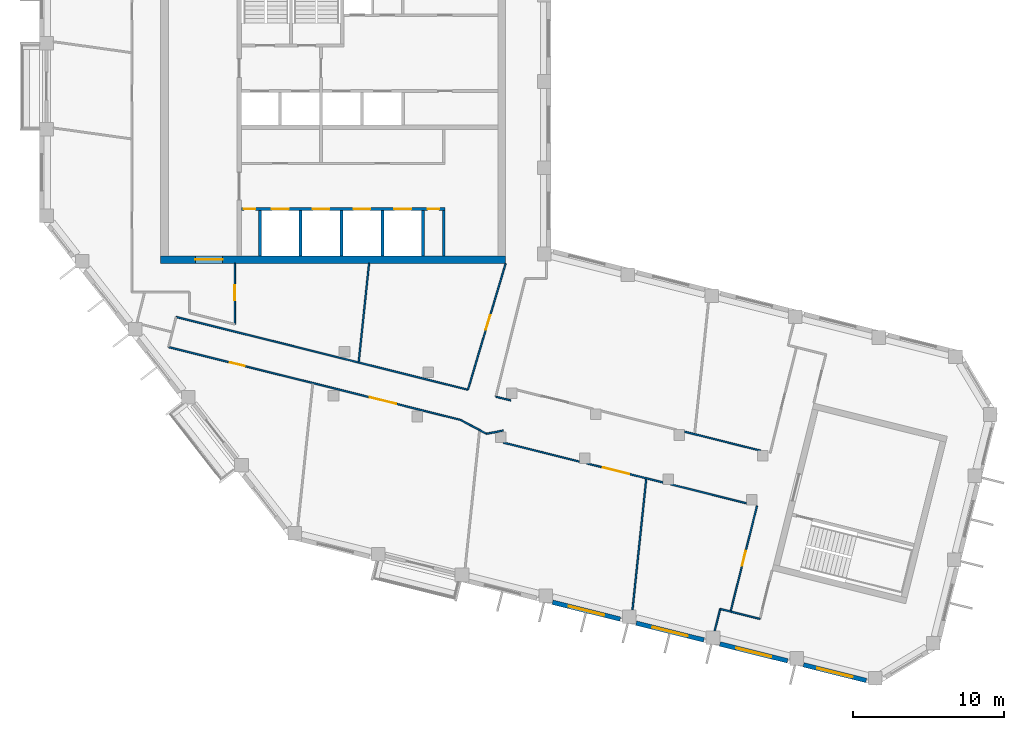
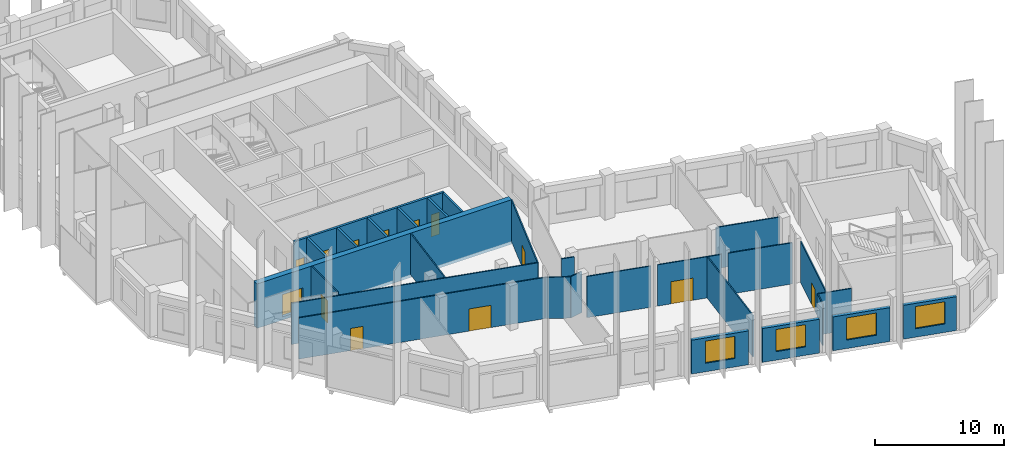
# One storey, part 3 of 8: 29 walls, 13 doors, 4 windows, 17 openings.
"""IFC4 building model written with IfcOpenShell, lengths in metres."""

import ifcopenshell
import ifcopenshell.guid

model = None  # the IFC model being written
_history = None  # IfcOwnerHistory: only IFC2X3 demands one
_inside = {}  # id of a spatial element -> (the spatial element, [elements in it])
_under = {}  # id of a project, library or spatial element -> (it, [spatial elements below it])
_declared = {}  # id of a project -> (the project, [libraries it declares])
_typed = {}  # id of a type object -> (the type object, [elements of that type])
_made_of = {}  # id of a material, layer set ... -> (it, [elements and type objects made of it])


def new_model(schema):
    """Start an empty IFC model of exactly this schema.

    Asked for "IFC4X3", IfcOpenShell would pick the latest addendum, in which some entities
    have other attributes; the version numbers below select the first issue.
    IFC2X3 requires an IfcOwnerHistory on every rooted entity: one is made here for all.
    """
    global model, _history
    if schema == "IFC4X3":
        model = ifcopenshell.file(schema_version=(4, 3, 0, 0))
    else:
        model = ifcopenshell.file(schema=schema)
    _inside.clear()
    _under.clear()
    _declared.clear()
    _typed.clear()
    _made_of.clear()
    _history = None
    if model.schema == "IFC2X3":
        org = make("IfcOrganization", Name="unknown")
        user = make(
            "IfcPersonAndOrganization",
            ThePerson=make("IfcPerson", FamilyName="unknown"),
            TheOrganization=org,
        )
        app = make(
            "IfcApplication",
            ApplicationDeveloper=org,
            Version="unknown",
            ApplicationFullName="unknown",
            ApplicationIdentifier="unknown",
        )
        _history = make(
            "IfcOwnerHistory",
            OwningUser=user,
            OwningApplication=app,
            ChangeAction="ADDED",
            CreationDate=0,
        )
    return model


def make(cls, **values):
    """One entity of the class cls with the attributes given. An attribute that is None is left unset."""
    return model.create_entity(
        cls, **{name: value for name, value in values.items() if value is not None}
    )


def rooted(cls, **values):
    """An entity with a GlobalId (a new one), such as an element, a storey or a relation."""
    return make(cls, GlobalId=ifcopenshell.guid.new(), OwnerHistory=_history, **values)


def si_unit(unit_type, name, prefix=None):
    """IfcSIUnit, for example si_unit("LENGTHUNIT", "METRE", prefix="MILLI")."""
    return make("IfcSIUnit", UnitType=unit_type, Prefix=prefix, Name=name)


def assignment(units):
    """IfcUnitAssignment: the units of a project."""
    return None if units is None else make("IfcUnitAssignment", Units=units)


def point(xyz):
    """IfcCartesianPoint."""
    return None if xyz is None else make("IfcCartesianPoint", Coordinates=xyz)


def direction(xyz):
    """IfcDirection."""
    return None if xyz is None else make("IfcDirection", DirectionRatios=xyz)


def frame(location, z_axis=None, x_axis=None):
    """IfcAxis2Placement3D, a coordinate frame: its origin and axes. An axis left out is left unset."""
    return make(
        "IfcAxis2Placement3D",
        Location=point(location),
        Axis=direction(z_axis),
        RefDirection=direction(x_axis),
    )


def frame_2d(location, x_axis=None):
    """IfcAxis2Placement2D, a coordinate frame in the plane: its origin and x axis."""
    return make(
        "IfcAxis2Placement2D", Location=point(location), RefDirection=direction(x_axis)
    )


def origin():
    """The frame at (0, 0, 0) with its axes left unset."""
    return frame((0.0, 0.0, 0.0))


def place(relative_to, where):
    """IfcLocalPlacement: puts the frame where relative to a parent placement (None: the world)."""
    return make(
        "IfcLocalPlacement", PlacementRelTo=relative_to, RelativePlacement=where
    )


def context(
    kind, dimensions, precision=None, world=None, true_north=None, identifier=None
):
    """IfcGeometricRepresentationContext, for example the 3D "Model" context."""
    return make(
        "IfcGeometricRepresentationContext",
        ContextIdentifier=identifier,
        ContextType=kind,
        CoordinateSpaceDimension=dimensions,
        Precision=precision,
        WorldCoordinateSystem=world,
        TrueNorth=true_north,
    )


def subcontext(parent, identifier, kind, view, scale=None):
    """IfcGeometricRepresentationSubContext, for example "Body" below "Model"."""
    return make(
        "IfcGeometricRepresentationSubContext",
        ContextIdentifier=identifier,
        ContextType=kind,
        ParentContext=parent,
        TargetScale=scale,
        TargetView=view,
    )


def project(units=None, contexts=None):
    """IfcProject with its units and contexts."""
    return rooted(
        "IfcProject",
        Name="project",
        RepresentationContexts=contexts,
        UnitsInContext=assignment(units),
    )


def spatial(cls, under=None, at=None, **own):
    """A site, building, storey or space (cls), placed at a placement, below another one or the project."""
    s = rooted(cls, ObjectPlacement=at, **own)
    if under is not None:
        _under.setdefault(under.id(), (under, []))[1].append(s)
    return s


def profile(cls, at=None, kind="AREA", **sizes):
    """A parametric profile (cls). Its sizes go by their IFC names, for example OverallWidth=200.0."""
    return make(cls, ProfileType=kind, Position=at, **sizes)


def rectangle(**sizes):
    """IfcRectangleProfileDef."""
    return profile("IfcRectangleProfileDef", **sizes)


def extrude(swept, where, along, depth):
    """IfcExtrudedAreaSolid: the profile swept, set in the frame where, extruded along a direction by depth."""
    return make(
        "IfcExtrudedAreaSolid",
        SweptArea=swept,
        Position=where,
        ExtrudedDirection=direction(along),
        Depth=depth,
    )


def shape(context_of_items, identifier, shape_type, items):
    """IfcShapeRepresentation: the items that make up one representation, for example the "Body"."""
    return make(
        "IfcShapeRepresentation",
        ContextOfItems=context_of_items,
        RepresentationIdentifier=identifier,
        RepresentationType=shape_type,
        Items=items,
    )


def material(Name=None, Category=None):
    """IfcMaterial."""
    return make("IfcMaterial", Name=Name, Category=Category)


def layer(
    of_material, thickness, ventilated=None, Name=None, Category=None, Priority=None
):
    """IfcMaterialLayer: one layer of a wall or slab, of a material (None: an air gap)."""
    return make(
        "IfcMaterialLayer",
        Material=of_material,
        LayerThickness=thickness,
        IsVentilated=ventilated,
        Name=Name,
        Category=Category,
        Priority=Priority,
    )


def layer_set(layers, Name=None):
    """IfcMaterialLayerSet."""
    return make("IfcMaterialLayerSet", MaterialLayers=layers, LayerSetName=Name)


def made_of(thing, what):
    """Note that an element or type object is made of a material, layer set ...; save() writes the relation."""
    if what is not None:
        _made_of.setdefault(what.id(), (what, []))[1].append(thing)
    return thing


def type_object(cls, material=None, **own):
    """A type object (cls), such as IfcWallType, which elements share."""
    return made_of(rooted(cls, **own), material)


def element(
    cls,
    number,
    at=None,
    inside=None,
    cuts=None,
    type_object=None,
    material=None,
    context=None,
    identifier="Body",
    shape_type=None,
    held_by="IfcProductDefinitionShape",
    body=None,
    shapes=None,
    **own,
):
    """One element of the class cls, such as IfcWall. Its Tag is "e" and its number.

    at: its placement. inside: the storey or other place that contains it. cuts: it is an
    opening in that element (IfcRelVoidsElement). A single representation is given by context,
    identifier, shape_type and body (its items); several are given by shapes. held_by: the class
    of the entity that holds the representations. save() writes the other relations.
    """
    e = rooted(cls, Tag="e%d" % number, ObjectPlacement=at, **own)
    if body is not None:
        shapes = [shape(context, identifier, shape_type, body)]
    if shapes is not None:
        e.Representation = make(held_by, Representations=shapes)
    if inside is not None:
        _inside.setdefault(inside.id(), (inside, []))[1].append(e)
    if cuts is not None:
        rooted(
            "IfcRelVoidsElement", RelatingBuildingElement=cuts, RelatedOpeningElement=e
        )
    if type_object is not None:
        _typed.setdefault(type_object.id(), (type_object, []))[1].append(e)
    return made_of(e, material)


def fill(opening, filler):
    """IfcRelFillsElement: the door or window that sits in an opening."""
    return rooted(
        "IfcRelFillsElement",
        RelatingOpeningElement=opening,
        RelatedBuildingElement=filler,
    )


def aggregate(whole, parts):
    """IfcRelAggregates: a whole, such as a stair, and the parts it consists of."""
    return rooted("IfcRelAggregates", RelatingObject=whole, RelatedObjects=parts)


def save(model, path):
    """Write the relations noted so far, then the file.

    IfcRelAggregates (storeys below a building ...), IfcRelContainedInSpatialStructure (elements
    in a storey), IfcRelDefinesByType, IfcRelAssociatesMaterial and IfcRelDeclares: one each for
    every whole, place, type object, material and project.
    """
    for whole, parts in _under.values():
        aggregate(whole, parts)
    for where, things in _inside.values():
        rooted(
            "IfcRelContainedInSpatialStructure",
            RelatedElements=things,
            RelatingStructure=where,
        )
    for kind, things in _typed.values():
        rooted("IfcRelDefinesByType", RelatedObjects=things, RelatingType=kind)
    for what, things in _made_of.values():
        rooted("IfcRelAssociatesMaterial", RelatedObjects=things, RelatingMaterial=what)
    for by, libraries in _declared.values():
        rooted("IfcRelDeclares", RelatingContext=by, RelatedDefinitions=libraries)
    model.write(path)


model = new_model("IFC4")

# Units and contexts
model_context = context("Model", 3, precision=1e-05, world=origin(), true_north=direction((0.0, 1.0)))
body_context = subcontext(model_context, "Body", "Model", "MODEL_VIEW")
ifc_project = project(units=[si_unit("LENGTHUNIT", "METRE"), si_unit("AREAUNIT", "SQUARE_METRE"), si_unit("VOLUMEUNIT", "CUBIC_METRE"), si_unit("PLANEANGLEUNIT", "RADIAN"), si_unit("MASSUNIT", "GRAM", prefix="KILO")], contexts=[model_context])

# Site, building, storey
site_placement = place(None, origin())
site = spatial("IfcSite", under=ifc_project, at=site_placement, CompositionType="ELEMENT")
building_placement = place(site_placement, origin())
building = spatial("IfcBuilding", under=site, at=building_placement, Name="Meshkara Civic Tower", CompositionType="ELEMENT")
storey_placement = place(building_placement, frame((0.0, 0.0, 387.60009765625)))
storey = spatial("IfcBuildingStorey", under=building, at=storey_placement, Name="L89", CompositionType="ELEMENT", Elevation=387.60009765625)

# Wall
ifc_material_1 = material(Name="Blockwork", Category="masonry")
ifc_layer_1 = layer(ifc_material_1, 0.14990234375)
ifc_layer_set_1 = layer_set([ifc_layer_1], Name="Core partition 150")
wall_type_1 = type_object("IfcWallType", Name="Core partition 150", PredefinedType="PARTITIONING", material=ifc_layer_set_1)
wall_1_placement = place(storey_placement, frame((26.699951171875, 14.60009765625, 0.0), z_axis=(0.0, 0.0, 1.0), x_axis=(0.0, 1.0, 0.0)))
element("IfcWall", 1, at=wall_1_placement, inside=storey, type_object=wall_type_1, Name="L89-C025", PredefinedType="PARTITIONING", context=body_context, shape_type="SweptSolid", body=[
    extrude(rectangle(XDim=3.0, YDim=0.14990234375, at=frame_2d((1.5, 0.0))), origin(), (0.0, 0.0, 1.0), 3.89990234375),
])

# Wall, opening, door
ifc_material_2 = material(Name="Concrete C50", Category="concrete")
ifc_layer_2 = layer(ifc_material_2, 0.5)
ifc_layer_set_2 = layer_set([ifc_layer_2], Name="Core ring wall 500 C50")
wall_type_2 = type_object("IfcWallType", Name="Core ring wall 500 C50", PredefinedType="SHEAR", material=ifc_layer_set_2)
wall_2_placement = place(storey_placement, frame((8.0, 14.35009765625, -0.300048828125), z_axis=(0.0, 0.0, 1.0), x_axis=(1.0, 0.0, 0.0)))
wall_2 = element("IfcWall", 2, at=wall_2_placement, inside=storey, type_object=wall_type_2, Name="L89-C001", PredefinedType="SHEAR", context=body_context, shape_type="SweptSolid", body=[
    extrude(rectangle(XDim=22.800048828125, YDim=0.5, at=frame_2d((11.39990234375, 0.0))), origin(), (0.0, 0.0, 1.0), 4.199951171875),
])
opening_1_placement = place(wall_2_placement, frame((2.300048828125, 0.0, 0.300048828125)))
opening_1 = element("IfcOpeningElement", 3, at=opening_1_placement, cuts=wall_2, Name="Opening L89-K023", PredefinedType="OPENING", context=body_context, shape_type="SweptSolid", body=[
    extrude(rectangle(XDim=1.800048828125, YDim=2.10009765625, at=frame_2d((0.89990234375, 1.050048828125))), frame((0.0, 0.260009765625, 0.0), z_axis=(0.0, -1.0, 0.0), x_axis=(1.0, 0.0, 0.0)), (0.0, 0.0, 1.0), 0.52001953125),
])
ifc_material_3 = material(Name="Fire-rated door leaf in steel frame", Category="steel")
door_type_1 = type_object("IfcDoorType", Name="Core double door 1800 EI 60", OperationType="DOUBLE_DOOR_SINGLE_SWING", PredefinedType="DOOR", material=ifc_material_3)
door_1_placement = place(opening_1_placement, origin())
door_1 = element("IfcDoor", 4, at=door_1_placement, inside=storey, type_object=door_type_1, Name="L89-K023", OperationType="DOUBLE_DOOR_SINGLE_SWING", OverallHeight=2.10009765625, OverallWidth=1.800048828125, PredefinedType="DOOR", context=body_context, shape_type="SweptSolid", body=[
    extrude(rectangle(XDim=1.800048828125, YDim=2.10009765625, at=frame_2d((0.89990234375, 1.050048828125))), frame((0.0, 0.02490234375, 0.0), z_axis=(0.0, -1.0, 0.0), x_axis=(1.0, 0.0, 0.0)), (0.0, 0.0, 1.0), 0.050048828125),
])
fill(opening_1, door_1)

# Wall, openings, doors
ifc_material_4 = material(Name="Corridor wall 100")
ifc_layer_3 = layer(ifc_material_4, 0.10009765625)
ifc_layer_set_3 = layer_set([ifc_layer_3], Name="Corridor wall 100")
wall_type_3 = type_object("IfcWallType", Name="Corridor wall 100", PredefinedType="PARTITIONING", material=ifc_layer_set_3)
wall_3_placement = place(storey_placement, frame((8.52099609375, 8.56689453125, 0.0), z_axis=(0.0, 0.0, 1.0), x_axis=(0.970301223092, -0.241899848006, 0.0)))
wall_3 = element("IfcWall", 5, at=wall_3_placement, inside=storey, type_object=wall_type_3, Name="L89-W006", PredefinedType="PARTITIONING", context=body_context, shape_type="SweptSolid", body=[
    extrude(rectangle(XDim=19.87939453125, YDim=0.10009765625, at=frame_2d((9.939697265625, 0.0))), origin(), (0.0, 0.0, 1.0), 3.89990234375),
])
opening_2_placement = place(wall_3_placement, frame((13.70703125, 0.0, 0.0)))
opening_2 = element("IfcOpeningElement", 6, at=opening_2_placement, cuts=wall_3, Name="Opening L89-D003", PredefinedType="OPENING", context=body_context, shape_type="SweptSolid", body=[
    extrude(rectangle(XDim=1.800048828125, YDim=2.10009765625, at=frame_2d((0.89990234375, 1.050048828125))), frame((0.0, 0.06005859375, 0.0), z_axis=(0.0, -1.0, 0.0), x_axis=(1.0, 0.0, 0.0)), (0.0, 0.0, 1.0), 0.1201171875),
])
opening_3_placement = place(wall_3_placement, frame((4.179931640625, 0.0, 0.0)))
opening_3 = element("IfcOpeningElement", 7, at=opening_3_placement, cuts=wall_3, Name="Opening L89-D007", PredefinedType="OPENING", context=body_context, shape_type="SweptSolid", body=[
    extrude(rectangle(XDim=1.0, YDim=2.10009765625, at=frame_2d((0.5, 1.050048828125))), frame((0.0, 0.06005859375, 0.0), z_axis=(0.0, -1.0, 0.0), x_axis=(1.0, 0.0, 0.0)), (0.0, 0.0, 1.0), 0.1201171875),
])
ifc_material_5 = material(Name="Door 1000 x 2100")
door_type_2 = type_object("IfcDoorType", Name="Door 1000 x 2100", OperationType="SINGLE_SWING_LEFT", PredefinedType="DOOR", material=ifc_material_5)
door_2_placement = place(opening_3_placement, origin())
door_2 = element("IfcDoor", 8, at=door_2_placement, inside=storey, type_object=door_type_2, Name="L89-D007", OperationType="SINGLE_SWING_RIGHT", OverallHeight=2.10009765625, OverallWidth=1.0, PredefinedType="DOOR", context=body_context, shape_type="SweptSolid", body=[
    extrude(rectangle(XDim=1.0, YDim=2.10009765625, at=frame_2d((0.5, 1.050048828125))), frame((0.0, 0.02490234375, 0.0), z_axis=(0.0, -1.0, 0.0), x_axis=(1.0, 0.0, 0.0)), (0.0, 0.0, 1.0), 0.050048828125),
])
fill(opening_3, door_2)
ifc_material_6 = material(Name="Door pair 1800 x 2100")
door_type_3 = type_object("IfcDoorType", Name="Door pair 1800 x 2100", OperationType="SINGLE_SWING_LEFT", PredefinedType="DOOR", material=ifc_material_6)
door_3_placement = place(opening_2_placement, origin())
door_3 = element("IfcDoor", 9, at=door_3_placement, inside=storey, type_object=door_type_3, Name="L89-D003", OperationType="DOUBLE_DOOR_SINGLE_SWING", OverallHeight=2.10009765625, OverallWidth=1.800048828125, PredefinedType="DOOR", context=body_context, shape_type="SweptSolid", body=[
    extrude(rectangle(XDim=1.800048828125, YDim=2.10009765625, at=frame_2d((0.89990234375, 1.050048828125))), frame((0.0, 0.02490234375, 0.0), z_axis=(0.0, -1.0, 0.0), x_axis=(1.0, 0.0, 0.0)), (0.0, 0.0, 1.0), 0.050048828125),
])
fill(opening_2, door_3)

# Wall
wall_4_placement = place(storey_placement, frame((9.01708984375, 10.55810546875, 0.0), z_axis=(0.0, 0.0, 1.0), x_axis=(0.970297621765, -0.241914293082, 0.0)))
element("IfcWall", 10, at=wall_4_placement, inside=storey, type_object=wall_type_3, Name="L89-W007", PredefinedType="PARTITIONING", context=body_context, shape_type="SweptSolid", body=[
    extrude(rectangle(XDim=19.87939453125, YDim=0.10009765625, at=frame_2d((9.939697265625, 0.0))), origin(), (0.0, 0.0, 1.0), 3.89990234375),
])

# Wall, opening, door
wall_5_placement = place(storey_placement, frame((12.89990234375, 10.077880859375, 0.0), z_axis=(0.0, 0.0, 1.0), x_axis=(0.0, 1.0, 0.0)))
wall_5 = element("IfcWall", 11, at=wall_5_placement, inside=storey, type_object=wall_type_3, Name="L89-W015", PredefinedType="PARTITIONING", context=body_context, shape_type="SweptSolid", body=[
    extrude(rectangle(XDim=4.022216796875, YDim=0.10009765625, at=frame_2d((2.01123046875, 0.0))), origin(), (0.0, 0.0, 1.0), 3.89990234375),
])
opening_4_placement = place(wall_5_placement, frame((1.580078125, 0.0, 0.0)))
opening_4 = element("IfcOpeningElement", 12, at=opening_4_placement, cuts=wall_5, Name="Opening L89-D011", PredefinedType="OPENING", context=body_context, shape_type="SweptSolid", body=[
    extrude(rectangle(XDim=1.0, YDim=2.10009765625, at=frame_2d((0.5, 1.050048828125))), frame((0.0, 0.06005859375, 0.0), z_axis=(0.0, -1.0, 0.0), x_axis=(1.0, 0.0, 0.0)), (0.0, 0.0, 1.0), 0.1201171875),
])
door_4_placement = place(opening_4_placement, origin())
door_4 = element("IfcDoor", 13, at=door_4_placement, inside=storey, type_object=door_type_2, Name="L89-D011", OperationType="SINGLE_SWING_LEFT", OverallHeight=2.10009765625, OverallWidth=1.0, PredefinedType="DOOR", context=body_context, shape_type="SweptSolid", body=[
    extrude(rectangle(XDim=1.0, YDim=2.10009765625, at=frame_2d((0.5, 1.050048828125))), frame((0.0, 0.02490234375, 0.0), z_axis=(0.0, -1.0, 0.0), x_axis=(1.0, 0.0, 0.0)), (0.0, 0.0, 1.0), 0.050048828125),
])
fill(opening_4, door_4)

# Walls
wall_6_placement = place(storey_placement, frame((27.81005859375, 3.758056640625, 0.0), z_axis=(0.0, 0.0, 1.0), x_axis=(0.882659984129, -0.470012076884, 0.0)))
element("IfcWall", 14, at=wall_6_placement, inside=storey, type_object=wall_type_3, Name="L89-W018", PredefinedType="PARTITIONING", context=body_context, shape_type="SweptSolid", body=[
    extrude(rectangle(XDim=1.957763671875, YDim=0.10009765625, at=frame_2d((0.97900390625, 0.0))), origin(), (0.0, 0.0, 1.0), 3.89990234375),
])
wall_7_placement = place(storey_placement, frame((29.5380859375, 2.837890625, 0.0), z_axis=(0.0, 0.0, 1.0), x_axis=(0.981739361474, 0.190230981001, 0.0)))
element("IfcWall", 15, at=wall_7_placement, inside=storey, type_object=wall_type_3, Name="L89-W019", PredefinedType="PARTITIONING", context=body_context, shape_type="SweptSolid", body=[
    extrude(rectangle(XDim=1.12548828125, YDim=0.10009765625, at=frame_2d((0.562744140625, 0.0))), origin(), (0.0, 0.0, 1.0), 3.89990234375),
])
wall_8_placement = place(storey_placement, frame((30.64892578125, 2.251953125, 0.0), z_axis=(0.0, 0.0, 1.0), x_axis=(0.970292295429, -0.241935655561, 0.0)))
element("IfcWall", 16, at=wall_8_placement, inside=storey, type_object=wall_type_3, Name="L89-W021", PredefinedType="PARTITIONING", context=body_context, shape_type="SweptSolid", body=[
    extrude(rectangle(XDim=5.170654296875, YDim=0.10009765625, at=frame_2d((2.58544921875, 0.0))), origin(), (0.0, 0.0, 1.0), 3.89990234375),
])

# Wall, opening, door
wall_9_placement = place(storey_placement, frame((30.800048828125, 14.10009765625, 0.0), z_axis=(0.0, 0.0, 1.0), x_axis=(-0.286170650389, -0.958178667502, 0.0)))
wall_9 = element("IfcWall", 17, at=wall_9_placement, inside=storey, type_object=wall_type_3, Name="L89-W022", PredefinedType="PARTITIONING", context=body_context, shape_type="SweptSolid", body=[
    extrude(rectangle(XDim=8.715576171875, YDim=0.10009765625, at=frame_2d((4.35791015625, 0.0))), origin(), (0.0, 0.0, 1.0), 3.89990234375),
])
opening_5_placement = place(wall_9_placement, frame((3.580078125, 0.0, 0.0)))
opening_5 = element("IfcOpeningElement", 18, at=opening_5_placement, cuts=wall_9, Name="Opening L89-D008", PredefinedType="OPENING", context=body_context, shape_type="SweptSolid", body=[
    extrude(rectangle(XDim=1.0, YDim=2.10009765625, at=frame_2d((0.5, 1.050048828125))), frame((0.0, 0.06005859375, 0.0), z_axis=(0.0, -1.0, 0.0), x_axis=(1.0, 0.0, 0.0)), (0.0, 0.0, 1.0), 0.1201171875),
])
door_5_placement = place(opening_5_placement, origin())
door_5 = element("IfcDoor", 19, at=door_5_placement, inside=storey, type_object=door_type_2, Name="L89-D008", OperationType="SINGLE_SWING_RIGHT", OverallHeight=2.10009765625, OverallWidth=1.0, PredefinedType="DOOR", context=body_context, shape_type="SweptSolid", body=[
    extrude(rectangle(XDim=1.0, YDim=2.10009765625, at=frame_2d((0.5, 1.050048828125))), frame((0.0, 0.02490234375, 0.0), z_axis=(0.0, -1.0, 0.0), x_axis=(1.0, 0.0, 0.0)), (0.0, 0.0, 1.0), 0.050048828125),
])
fill(opening_5, door_5)

# Wall
wall_10_placement = place(storey_placement, frame((31.139892578125, 5.0419921875, 0.0), z_axis=(0.0, 0.0, 1.0), x_axis=(-0.970296981152, 0.24191686251, 0.0)))
element("IfcWall", 20, at=wall_10_placement, inside=storey, type_object=wall_type_3, Name="L89-W024", PredefinedType="PARTITIONING", context=body_context, shape_type="SweptSolid", body=[
    extrude(rectangle(XDim=1.021240234375, YDim=0.10009765625, at=frame_2d((0.5107421875, 0.0))), origin(), (0.0, 0.0, 1.0), 3.89990234375),
])

# Wall, opening, door
wall_11_placement = place(storey_placement, frame((36.180908203125, 0.873046875, 0.0), z_axis=(0.0, 0.0, 1.0), x_axis=(0.970314526579, -0.241846479217, 0.0)))
wall_11 = element("IfcWall", 21, at=wall_11_placement, inside=storey, type_object=wall_type_3, Name="L89-W027", PredefinedType="PARTITIONING", context=body_context, shape_type="SweptSolid", body=[
    extrude(rectangle(XDim=5.16845703125, YDim=0.10009765625, at=frame_2d((2.584228515625, 0.0))), origin(), (0.0, 0.0, 1.0), 3.89990234375),
])
opening_6_placement = place(wall_11_placement, frame((1.080078125, 0.0, 0.0)))
opening_6 = element("IfcOpeningElement", 22, at=opening_6_placement, cuts=wall_11, Name="Opening L89-D005", PredefinedType="OPENING", context=body_context, shape_type="SweptSolid", body=[
    extrude(rectangle(XDim=1.800048828125, YDim=2.10009765625, at=frame_2d((0.89990234375, 1.050048828125))), frame((0.0, 0.06005859375, 0.0), z_axis=(0.0, -1.0, 0.0), x_axis=(1.0, 0.0, 0.0)), (0.0, 0.0, 1.0), 0.1201171875),
])
door_6_placement = place(opening_6_placement, origin())
door_6 = element("IfcDoor", 23, at=door_6_placement, inside=storey, type_object=door_type_3, Name="L89-D005", OperationType="DOUBLE_DOOR_SINGLE_SWING", OverallHeight=2.10009765625, OverallWidth=1.800048828125, PredefinedType="DOOR", context=body_context, shape_type="SweptSolid", body=[
    extrude(rectangle(XDim=1.800048828125, YDim=2.10009765625, at=frame_2d((0.89990234375, 1.050048828125))), frame((0.0, 0.02490234375, 0.0), z_axis=(0.0, -1.0, 0.0), x_axis=(1.0, 0.0, 0.0)), (0.0, 0.0, 1.0), 0.050048828125),
])
fill(opening_6, door_6)

# Walls
wall_12_placement = place(storey_placement, frame((41.712890625, -0.506103515625, 0.0), z_axis=(0.0, 0.0, 1.0), x_axis=(0.970303472342, -0.241890825708, 0.0)))
element("IfcWall", 24, at=wall_12_placement, inside=storey, type_object=wall_type_3, Name="L89-W029", PredefinedType="PARTITIONING", context=body_context, shape_type="SweptSolid", body=[
    extrude(rectangle(XDim=5.167724609375, YDim=0.10009765625, at=frame_2d((2.583984375, 0.0))), origin(), (0.0, 0.0, 1.0), 3.89990234375),
])
wall_13_placement = place(storey_placement, frame((42.6220703125, 2.97705078125, 0.0), z_axis=(0.0, 0.0, 1.0), x_axis=(0.97031439286, -0.241847015712, 0.0)))
element("IfcWall", 25, at=wall_13_placement, inside=storey, type_object=wall_type_3, Name="L89-W031", PredefinedType="PARTITIONING", context=body_context, shape_type="SweptSolid", body=[
    extrude(rectangle(XDim=5.172607421875, YDim=0.10009765625, at=frame_2d((2.58642578125, 0.0))), origin(), (0.0, 0.0, 1.0), 3.89990234375),
])
wall_14_placement = place(storey_placement, frame((45.669921875, -8.9130859375, 0.0), z_axis=(0.0, 0.0, 1.0), x_axis=(0.970307382734, -0.241875139301, 0.0)))
element("IfcWall", 26, at=wall_14_placement, inside=storey, type_object=wall_type_3, Name="L89-W032", PredefinedType="PARTITIONING", context=body_context, shape_type="SweptSolid", body=[
    extrude(rectangle(XDim=2.00048828125, YDim=0.10009765625, at=frame_2d((1.000244140625, 0.0))), origin(), (0.0, 0.0, 1.0), 3.89990234375),
])

# Wall, opening, door
wall_15_placement = place(storey_placement, frame((47.412109375, -1.927001953125, 0.0), z_axis=(0.0, 0.0, 1.0), x_axis=(-0.241969116819, -0.970283951483, 0.0)))
wall_15 = element("IfcWall", 27, at=wall_15_placement, inside=storey, type_object=wall_type_3, Name="L89-W033", PredefinedType="PARTITIONING", context=body_context, shape_type="SweptSolid", body=[
    extrude(rectangle(XDim=7.199951171875, YDim=0.10009765625, at=frame_2d((3.60009765625, 0.0))), origin(), (0.0, 0.0, 1.0), 3.89990234375),
])
opening_7_placement = place(wall_15_placement, frame((3.080078125, 0.0, 0.0)))
opening_7 = element("IfcOpeningElement", 28, at=opening_7_placement, cuts=wall_15, Name="Opening L89-D002", PredefinedType="OPENING", context=body_context, shape_type="SweptSolid", body=[
    extrude(rectangle(XDim=1.0, YDim=2.10009765625, at=frame_2d((0.5, 1.050048828125))), frame((0.0, 0.06005859375, 0.0), z_axis=(0.0, -1.0, 0.0), x_axis=(1.0, 0.0, 0.0)), (0.0, 0.0, 1.0), 0.1201171875),
])
door_7_placement = place(opening_7_placement, origin())
door_7 = element("IfcDoor", 29, at=door_7_placement, inside=storey, type_object=door_type_2, Name="L89-D002", OperationType="SINGLE_SWING_RIGHT", OverallHeight=2.10009765625, OverallWidth=1.0, PredefinedType="DOOR", context=body_context, shape_type="SweptSolid", body=[
    extrude(rectangle(XDim=1.0, YDim=2.10009765625, at=frame_2d((0.5, 1.050048828125))), frame((0.0, 0.02490234375, 0.0), z_axis=(0.0, -1.0, 0.0), x_axis=(1.0, 0.0, 0.0)), (0.0, 0.0, 1.0), 0.050048828125),
])
fill(opening_7, door_7)

# Wall, opening, window
ifc_material_7 = material(Name="Insulated infill panel with bronze anodised aluminium cladding", Category="aluminium")
ifc_layer_4 = layer(ifc_material_7, 0.300048828125)
ifc_layer_set_4 = layer_set([ifc_layer_4], Name="EXTERNAL INFILL WALL 300")
wall_type_4 = type_object("IfcWallType", Name="EXTERNAL INFILL WALL 300", PredefinedType="SOLIDWALL", material=ifc_layer_set_4)
wall_16_placement = place(storey_placement, frame((33.89990234375, -8.298095703125, 0.0), z_axis=(0.0, 0.0, 1.0), x_axis=(0.970298093093, -0.241912402618, 0.0)))
wall_16 = element("IfcWall", 30, at=wall_16_placement, inside=storey, type_object=wall_type_4, Name="External wall", PredefinedType="SOLIDWALL", context=body_context, shape_type="SweptSolid", body=[
    extrude(rectangle(XDim=4.609130859375, YDim=0.300048828125, at=frame_2d((2.3046875, 0.0))), origin(), (0.0, 0.0, 1.0), 3.199951171875),
])
opening_8_placement = place(wall_16_placement, frame((1.10498046875, 0.0, 0.800048828125)))
opening_8 = element("IfcOpeningElement", 31, at=opening_8_placement, cuts=wall_16, Name="Opening W7", PredefinedType="OPENING", context=body_context, shape_type="SweptSolid", body=[
    extrude(rectangle(XDim=2.39990234375, YDim=2.10009765625, at=frame_2d((1.199951171875, 1.050048828125))), frame((0.0, 0.159912109375, 0.0), z_axis=(0.0, -1.0, 0.0), x_axis=(1.0, 0.0, 0.0)), (0.0, 0.0, 1.0), 0.320068359375),
])
ifc_material_8 = material(Name="Tinted double glazing", Category="glass")
window_type = type_object("IfcWindowType", Name="WINDOW 2400x2100", PartitioningType="DOUBLE_PANEL_VERTICAL", PredefinedType="WINDOW", material=ifc_material_8)
window_1_placement = place(opening_8_placement, origin())
window_1 = element("IfcWindow", 32, at=window_1_placement, inside=storey, type_object=window_type, Name="Window", OverallHeight=2.10009765625, OverallWidth=2.39990234375, PartitioningType="DOUBLE_PANEL_VERTICAL", PredefinedType="WINDOW", context=body_context, shape_type="SweptSolid", body=[
    extrude(rectangle(XDim=2.39990234375, YDim=2.10009765625, at=frame_2d((1.199951171875, 1.050048828125))), frame((0.0, 0.030029296875, 0.0), z_axis=(0.0, -1.0, 0.0), x_axis=(1.0, 0.0, 0.0)), (0.0, 0.0, 1.0), 0.06005859375),
])
fill(opening_8, window_1)

wall_17_placement = place(storey_placement, frame((39.430908203125, -9.677001953125, 0.0), z_axis=(0.0, 0.0, 1.0), x_axis=(0.970285689791, -0.241962146187, 0.0)))
wall_17 = element("IfcWall", 33, at=wall_17_placement, inside=storey, type_object=wall_type_4, Name="External wall", PredefinedType="SOLIDWALL", context=body_context, shape_type="SweptSolid", body=[
    extrude(rectangle(XDim=4.608154296875, YDim=0.300048828125, at=frame_2d((2.30419921875, 0.0))), origin(), (0.0, 0.0, 1.0), 3.199951171875),
])
opening_9_placement = place(wall_17_placement, frame((1.10400390625, 0.0, 0.800048828125)))
opening_9 = element("IfcOpeningElement", 34, at=opening_9_placement, cuts=wall_17, Name="Opening W7", PredefinedType="OPENING", context=body_context, shape_type="SweptSolid", body=[
    extrude(rectangle(XDim=2.39990234375, YDim=2.10009765625, at=frame_2d((1.199951171875, 1.050048828125))), frame((0.0, 0.159912109375, 0.0), z_axis=(0.0, -1.0, 0.0), x_axis=(1.0, 0.0, 0.0)), (0.0, 0.0, 1.0), 0.320068359375),
])
window_2_placement = place(opening_9_placement, origin())
window_2 = element("IfcWindow", 35, at=window_2_placement, inside=storey, type_object=window_type, Name="Window", OverallHeight=2.10009765625, OverallWidth=2.39990234375, PartitioningType="DOUBLE_PANEL_VERTICAL", PredefinedType="WINDOW", context=body_context, shape_type="SweptSolid", body=[
    extrude(rectangle(XDim=2.39990234375, YDim=2.10009765625, at=frame_2d((1.199951171875, 1.050048828125))), frame((0.0, 0.030029296875, 0.0), z_axis=(0.0, -1.0, 0.0), x_axis=(1.0, 0.0, 0.0)), (0.0, 0.0, 1.0), 0.06005859375),
])
fill(opening_9, window_2)

wall_18_placement = place(storey_placement, frame((44.9609375, -11.055908203125, 0.0), z_axis=(0.0, 0.0, 1.0), x_axis=(0.970298093093, -0.241912402618, 0.0)))
wall_18 = element("IfcWall", 36, at=wall_18_placement, inside=storey, type_object=wall_type_4, Name="External wall", PredefinedType="SOLIDWALL", context=body_context, shape_type="SweptSolid", body=[
    extrude(rectangle(XDim=4.609130859375, YDim=0.300048828125, at=frame_2d((2.3046875, 0.0))), origin(), (0.0, 0.0, 1.0), 3.199951171875),
])
opening_10_placement = place(wall_18_placement, frame((1.10498046875, 0.0, 0.800048828125)))
opening_10 = element("IfcOpeningElement", 37, at=opening_10_placement, cuts=wall_18, Name="Opening W7", PredefinedType="OPENING", context=body_context, shape_type="SweptSolid", body=[
    extrude(rectangle(XDim=2.39990234375, YDim=2.10009765625, at=frame_2d((1.199951171875, 1.050048828125))), frame((0.0, 0.159912109375, 0.0), z_axis=(0.0, -1.0, 0.0), x_axis=(1.0, 0.0, 0.0)), (0.0, 0.0, 1.0), 0.320068359375),
])
window_3_placement = place(opening_10_placement, origin())
window_3 = element("IfcWindow", 38, at=window_3_placement, inside=storey, type_object=window_type, Name="Window", OverallHeight=2.10009765625, OverallWidth=2.39990234375, PartitioningType="DOUBLE_PANEL_VERTICAL", PredefinedType="WINDOW", context=body_context, shape_type="SweptSolid", body=[
    extrude(rectangle(XDim=2.39990234375, YDim=2.10009765625, at=frame_2d((1.199951171875, 1.050048828125))), frame((0.0, 0.030029296875, 0.0), z_axis=(0.0, -1.0, 0.0), x_axis=(1.0, 0.0, 0.0)), (0.0, 0.0, 1.0), 0.06005859375),
])
fill(opening_10, window_3)

wall_19_placement = place(storey_placement, frame((50.491943359375, -12.43505859375, 0.0), z_axis=(0.0, 0.0, 1.0), x_axis=(0.970323940244, -0.241808707429, 0.0)))
wall_19 = element("IfcWall", 39, at=wall_19_placement, inside=storey, type_object=wall_type_4, Name="External wall", PredefinedType="SOLIDWALL", context=body_context, shape_type="SweptSolid", body=[
    extrude(rectangle(XDim=4.267822265625, YDim=0.300048828125, at=frame_2d((2.1337890625, 0.0))), origin(), (0.0, 0.0, 1.0), 3.199951171875),
])
opening_11_placement = place(wall_19_placement, frame((0.93408203125, 0.0, 0.800048828125)))
opening_11 = element("IfcOpeningElement", 40, at=opening_11_placement, cuts=wall_19, Name="Opening W7", PredefinedType="OPENING", context=body_context, shape_type="SweptSolid", body=[
    extrude(rectangle(XDim=2.39990234375, YDim=2.10009765625, at=frame_2d((1.199951171875, 1.050048828125))), frame((0.0, 0.159912109375, 0.0), z_axis=(0.0, -1.0, 0.0), x_axis=(1.0, 0.0, 0.0)), (0.0, 0.0, 1.0), 0.320068359375),
])
window_4_placement = place(opening_11_placement, origin())
window_4 = element("IfcWindow", 41, at=window_4_placement, inside=storey, type_object=window_type, Name="Window", OverallHeight=2.10009765625, OverallWidth=2.39990234375, PartitioningType="DOUBLE_PANEL_VERTICAL", PredefinedType="WINDOW", context=body_context, shape_type="SweptSolid", body=[
    extrude(rectangle(XDim=2.39990234375, YDim=2.10009765625, at=frame_2d((1.199951171875, 1.050048828125))), frame((0.0, 0.030029296875, 0.0), z_axis=(0.0, -1.0, 0.0), x_axis=(1.0, 0.0, 0.0)), (0.0, 0.0, 1.0), 0.06005859375),
])
fill(opening_11, window_4)

# Walls
ifc_material_9 = material(Name="Partition 100")
ifc_layer_5 = layer(ifc_material_9, 0.10009765625)
ifc_layer_set_5 = layer_set([ifc_layer_5], Name="Partition 100")
wall_type_5 = type_object("IfcWallType", Name="Partition 100", PredefinedType="PARTITIONING", material=ifc_layer_set_5)
wall_20_placement = place(storey_placement, frame((21.090087890625, 7.60595703125, 0.0), z_axis=(0.0, 0.0, 1.0), x_axis=(0.104573849471, 0.994517124039, 0.0)))
element("IfcWall", 42, at=wall_20_placement, inside=storey, type_object=wall_type_5, Name="L89-W046", PredefinedType="PARTITIONING", context=body_context, shape_type="SweptSolid", body=[
    extrude(rectangle(XDim=6.530029296875, YDim=0.10009765625, at=frame_2d((3.26513671875, 0.0))), origin(), (0.0, 0.0, 1.0), 3.89990234375),
])
wall_21_placement = place(storey_placement, frame((39.181884765625, -8.803955078125, 0.0), z_axis=(0.0, 0.0, 1.0), x_axis=(0.104602903221, 0.994514068597, 0.0)))
element("IfcWall", 43, at=wall_21_placement, inside=storey, type_object=wall_type_5, Name="L89-W048", PredefinedType="PARTITIONING", context=body_context, shape_type="SweptSolid", body=[
    extrude(rectangle(XDim=8.691650390625, YDim=0.10009765625, at=frame_2d((4.345703125, 0.0))), origin(), (0.0, 0.0, 1.0), 3.89990234375),
])
wall_22_placement = place(storey_placement, frame((44.616943359375, -10.18310546875, 0.0), z_axis=(0.0, 0.0, 1.0), x_axis=(0.242110761362, 0.970248617228, 0.0)))
element("IfcWall", 44, at=wall_22_placement, inside=storey, type_object=wall_type_5, Name="L89-W050", PredefinedType="PARTITIONING", context=body_context, shape_type="SweptSolid", body=[
    extrude(rectangle(XDim=1.4873046875, YDim=0.10009765625, at=frame_2d((0.74365234375, 0.0))), origin(), (0.0, 0.0, 1.0), 3.89990234375),
])
wall_23_placement = place(storey_placement, frame((44.97705078125, -8.739990234375, 0.0), z_axis=(0.0, 0.0, 1.0), x_axis=(0.970202439735, -0.242295740641, 0.0)))
element("IfcWall", 45, at=wall_23_placement, inside=storey, type_object=wall_type_5, Name="L89-W051", PredefinedType="PARTITIONING", context=body_context, shape_type="SweptSolid", body=[
    extrude(rectangle(XDim=0.718505859375, YDim=0.10009765625, at=frame_2d((0.359375, 0.0))), origin(), (0.0, 0.0, 1.0), 3.89990234375),
])

# Wall, openings, doors
ifc_material_10 = material(Name="Concrete C40/50", Category="concrete")
ifc_layer_6 = layer(ifc_material_10, 0.199951171875)
ifc_layer_set_6 = layer_set([ifc_layer_6], Name="Shaft wall 200 C40/50")
wall_type_6 = type_object("IfcWallType", Name="Shaft wall 200 C40/50", PredefinedType="SOLIDWALL", material=ifc_layer_set_6)
wall_24_placement = place(storey_placement, frame((13.35009765625, 17.699951171875, 0.0), z_axis=(0.0, 0.0, 1.0), x_axis=(1.0, 0.0, 0.0)))
wall_24 = element("IfcWall", 46, at=wall_24_placement, inside=storey, type_object=wall_type_6, Name="L89-C005", PredefinedType="SOLIDWALL", context=body_context, shape_type="SweptSolid", body=[
    extrude(rectangle(XDim=13.4248046875, YDim=0.199951171875, at=frame_2d((6.71240234375, 0.0))), origin(), (0.0, 0.0, 1.0), 3.89990234375),
])
opening_12_placement = place(wall_24_placement, frame((2.0, 0.0, 0.0)))
opening_12 = element("IfcOpeningElement", 47, at=opening_12_placement, cuts=wall_24, Name="Opening L89-K001", PredefinedType="OPENING", context=body_context, shape_type="SweptSolid", body=[
    extrude(rectangle(XDim=1.10009765625, YDim=2.10009765625, at=frame_2d((0.550048828125, 1.050048828125))), frame((0.0, 0.10986328125, 0.0), z_axis=(0.0, -1.0, 0.0), x_axis=(1.0, 0.0, 0.0)), (0.0, 0.0, 1.0), 0.219970703125),
])
opening_13_placement = place(wall_24_placement, frame((4.699951171875, 0.0, 0.0)))
opening_13 = element("IfcOpeningElement", 48, at=opening_13_placement, cuts=wall_24, Name="Opening L89-K002", PredefinedType="OPENING", context=body_context, shape_type="SweptSolid", body=[
    extrude(rectangle(XDim=1.10009765625, YDim=2.10009765625, at=frame_2d((0.550048828125, 1.050048828125))), frame((0.0, 0.10986328125, 0.0), z_axis=(0.0, -1.0, 0.0), x_axis=(1.0, 0.0, 0.0)), (0.0, 0.0, 1.0), 0.219970703125),
])
opening_14_placement = place(wall_24_placement, frame((7.39990234375, 0.0, 0.0)))
opening_14 = element("IfcOpeningElement", 49, at=opening_14_placement, cuts=wall_24, Name="Opening L89-K003", PredefinedType="OPENING", context=body_context, shape_type="SweptSolid", body=[
    extrude(rectangle(XDim=1.10009765625, YDim=2.10009765625, at=frame_2d((0.550048828125, 1.050048828125))), frame((0.0, 0.10986328125, 0.0), z_axis=(0.0, -1.0, 0.0), x_axis=(1.0, 0.0, 0.0)), (0.0, 0.0, 1.0), 0.219970703125),
])
opening_15_placement = place(wall_24_placement, frame((10.10009765625, 0.0, 0.0)))
opening_15 = element("IfcOpeningElement", 50, at=opening_15_placement, cuts=wall_24, Name="Opening L89-K004", PredefinedType="OPENING", context=body_context, shape_type="SweptSolid", body=[
    extrude(rectangle(XDim=1.10009765625, YDim=2.10009765625, at=frame_2d((0.550048828125, 1.050048828125))), frame((0.0, 0.10986328125, 0.0), z_axis=(0.0, -1.0, 0.0), x_axis=(1.0, 0.0, 0.0)), (0.0, 0.0, 1.0), 0.219970703125),
])
opening_16_placement = place(wall_24_placement, frame((0.14990234375, 0.0, 0.0)))
opening_16 = element("IfcOpeningElement", 51, at=opening_16_placement, cuts=wall_24, Name="Opening L89-K009", PredefinedType="OPENING", context=body_context, shape_type="SweptSolid", body=[
    extrude(rectangle(XDim=0.75, YDim=2.10009765625, at=frame_2d((0.375, 1.050048828125))), frame((0.0, 0.10986328125, 0.0), z_axis=(0.0, -1.0, 0.0), x_axis=(1.0, 0.0, 0.0)), (0.0, 0.0, 1.0), 0.219970703125),
])
opening_17_placement = place(wall_24_placement, frame((12.300048828125, 0.0, 0.0)))
opening_17 = element("IfcOpeningElement", 52, at=opening_17_placement, cuts=wall_24, Name="Opening L89-K010", PredefinedType="OPENING", context=body_context, shape_type="SweptSolid", body=[
    extrude(rectangle(XDim=0.75, YDim=2.10009765625, at=frame_2d((0.375, 1.050048828125))), frame((0.0, 0.10986328125, 0.0), z_axis=(0.0, -1.0, 0.0), x_axis=(1.0, 0.0, 0.0)), (0.0, 0.0, 1.0), 0.219970703125),
])
ifc_material_11 = material(Name="Timber door leaf in steel frame", Category="steel")
door_type_4 = type_object("IfcDoorType", Name="Core room door 750", OperationType="SINGLE_SWING_LEFT", PredefinedType="DOOR", material=ifc_material_11)
door_8_placement = place(opening_16_placement, origin())
door_8 = element("IfcDoor", 53, at=door_8_placement, inside=storey, type_object=door_type_4, Name="L89-K009", OperationType="SINGLE_SWING_RIGHT", OverallHeight=2.10009765625, OverallWidth=0.75, PredefinedType="DOOR", context=body_context, shape_type="SweptSolid", body=[
    extrude(rectangle(XDim=0.75, YDim=2.10009765625, at=frame_2d((0.375, 1.050048828125))), frame((0.0, 0.02490234375, 0.0), z_axis=(0.0, -1.0, 0.0), x_axis=(1.0, 0.0, 0.0)), (0.0, 0.0, 1.0), 0.050048828125),
])
fill(opening_16, door_8)
door_9_placement = place(opening_17_placement, origin())
door_9 = element("IfcDoor", 54, at=door_9_placement, inside=storey, type_object=door_type_4, Name="L89-K010", OperationType="SINGLE_SWING_RIGHT", OverallHeight=2.10009765625, OverallWidth=0.75, PredefinedType="DOOR", context=body_context, shape_type="SweptSolid", body=[
    extrude(rectangle(XDim=0.75, YDim=2.10009765625, at=frame_2d((0.375, 1.050048828125))), frame((0.0, 0.02490234375, 0.0), z_axis=(0.0, -1.0, 0.0), x_axis=(1.0, 0.0, 0.0)), (0.0, 0.0, 1.0), 0.050048828125),
])
fill(opening_17, door_9)
ifc_material_12 = material(Name="Stainless steel landing door", Category="steel")
door_type_5 = type_object("IfcDoorType", Name="Lift landing door 1100", OperationType="SLIDING_TO_LEFT", PredefinedType="DOOR", material=ifc_material_12)
door_10_placement = place(opening_12_placement, origin())
door_10 = element("IfcDoor", 55, at=door_10_placement, inside=storey, type_object=door_type_5, Name="L89-K001", OperationType="SLIDING_TO_LEFT", OverallHeight=2.10009765625, OverallWidth=1.10009765625, PredefinedType="DOOR", context=body_context, shape_type="SweptSolid", body=[
    extrude(rectangle(XDim=1.10009765625, YDim=2.10009765625, at=frame_2d((0.550048828125, 1.050048828125))), frame((0.0, 0.02490234375, 0.0), z_axis=(0.0, -1.0, 0.0), x_axis=(1.0, 0.0, 0.0)), (0.0, 0.0, 1.0), 0.050048828125),
])
fill(opening_12, door_10)
door_11_placement = place(opening_13_placement, origin())
door_11 = element("IfcDoor", 56, at=door_11_placement, inside=storey, type_object=door_type_5, Name="L89-K002", OperationType="SLIDING_TO_LEFT", OverallHeight=2.10009765625, OverallWidth=1.10009765625, PredefinedType="DOOR", context=body_context, shape_type="SweptSolid", body=[
    extrude(rectangle(XDim=1.10009765625, YDim=2.10009765625, at=frame_2d((0.550048828125, 1.050048828125))), frame((0.0, 0.02490234375, 0.0), z_axis=(0.0, -1.0, 0.0), x_axis=(1.0, 0.0, 0.0)), (0.0, 0.0, 1.0), 0.050048828125),
])
fill(opening_13, door_11)
door_12_placement = place(opening_14_placement, origin())
door_12 = element("IfcDoor", 57, at=door_12_placement, inside=storey, type_object=door_type_5, Name="L89-K003", OperationType="SLIDING_TO_LEFT", OverallHeight=2.10009765625, OverallWidth=1.10009765625, PredefinedType="DOOR", context=body_context, shape_type="SweptSolid", body=[
    extrude(rectangle(XDim=1.10009765625, YDim=2.10009765625, at=frame_2d((0.550048828125, 1.050048828125))), frame((0.0, 0.02490234375, 0.0), z_axis=(0.0, -1.0, 0.0), x_axis=(1.0, 0.0, 0.0)), (0.0, 0.0, 1.0), 0.050048828125),
])
fill(opening_14, door_12)
door_13_placement = place(opening_15_placement, origin())
door_13 = element("IfcDoor", 58, at=door_13_placement, inside=storey, type_object=door_type_5, Name="L89-K004", OperationType="SLIDING_TO_LEFT", OverallHeight=2.10009765625, OverallWidth=1.10009765625, PredefinedType="DOOR", context=body_context, shape_type="SweptSolid", body=[
    extrude(rectangle(XDim=1.10009765625, YDim=2.10009765625, at=frame_2d((0.550048828125, 1.050048828125))), frame((0.0, 0.02490234375, 0.0), z_axis=(0.0, -1.0, 0.0), x_axis=(1.0, 0.0, 0.0)), (0.0, 0.0, 1.0), 0.050048828125),
])
fill(opening_15, door_13)

# Walls
for number, where, z_axis, x_axis, name in (
    (59, (14.550048828125, 14.60009765625, 0.0), (0.0, 0.0, 1.0), (0.0, 1.0, 0.0), "L89-C012"),
    (60, (17.25, 14.60009765625, 0.0), (0.0, 0.0, 1.0), (0.0, 1.0, 0.0), "L89-C015"),
    (61, (19.949951171875, 14.60009765625, 0.0), (0.0, 0.0, 1.0), (0.0, 1.0, 0.0), "L89-C017"),
    (62, (22.64990234375, 14.60009765625, 0.0), (0.0, 0.0, 1.0), (0.0, 1.0, 0.0), "L89-C021"),
    (63, (25.35009765625, 14.60009765625, 0.0), (0.0, 0.0, 1.0), (0.0, 1.0, 0.0), "L89-C024"),
):
    element("IfcWall", number, at=place(storey_placement, frame(where, z_axis=z_axis, x_axis=x_axis)), inside=storey, type_object=wall_type_6, Name=name, PredefinedType="SOLIDWALL", context=body_context, shape_type="SweptSolid", body=[
        extrude(rectangle(XDim=3.0, YDim=0.199951171875, at=frame_2d((1.5, 0.0))), origin(), (0.0, 0.0, 1.0), 3.89990234375),
    ])

save(model, "model.ifc")
